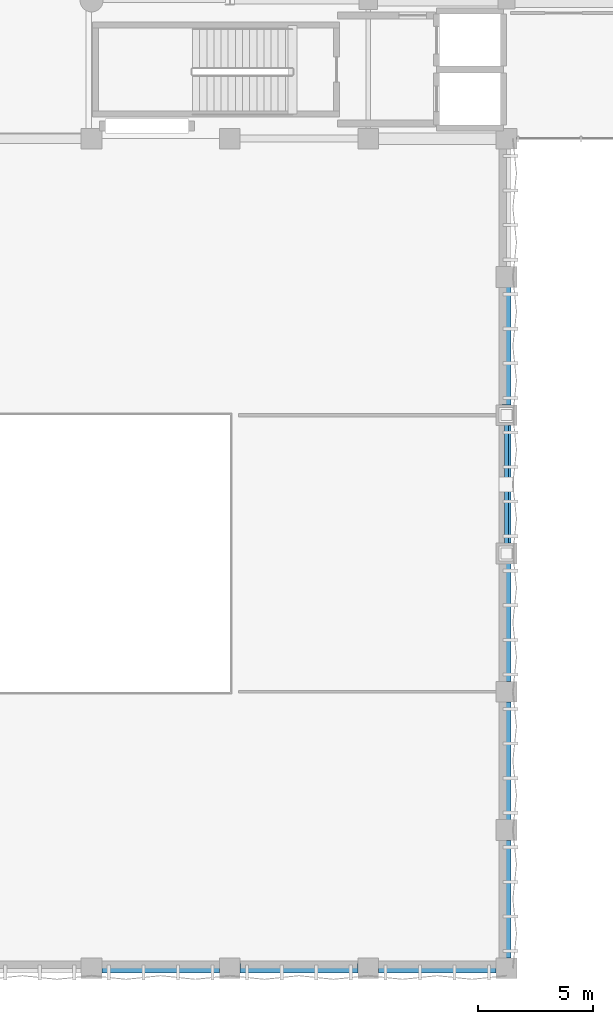
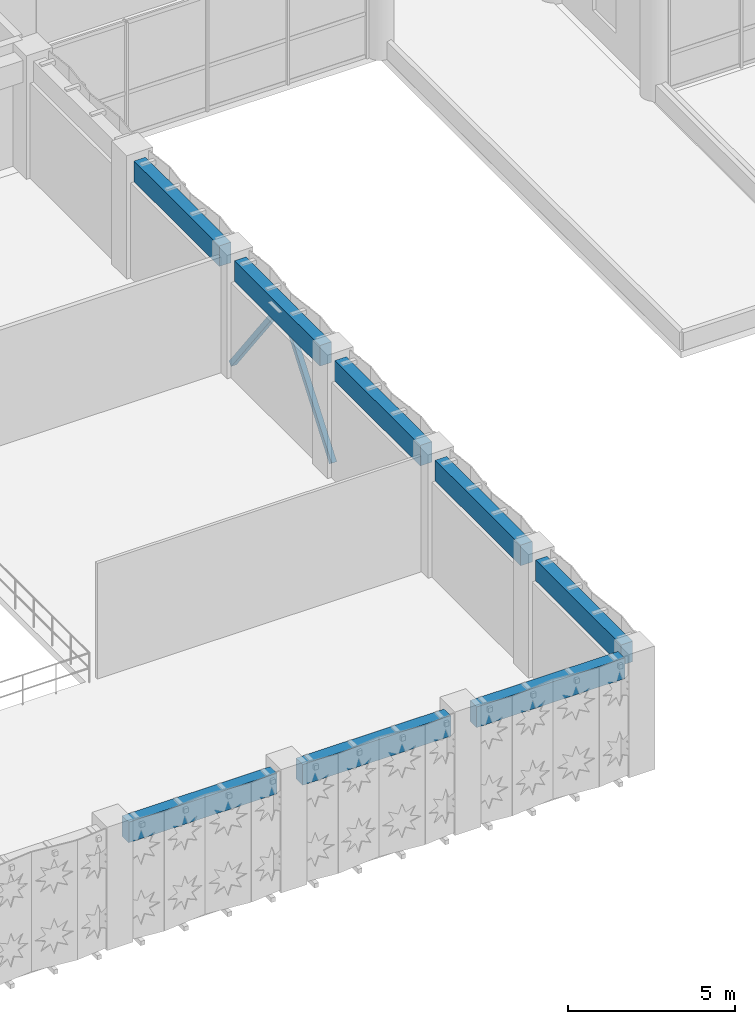
# One storey, part 56 of 133: 8 beams, 2 members.
"""IFC4 building model written with IfcOpenShell, lengths in metres."""

from ifc_helpers import new_model, si_unit, direction, frame, origin, origin_2d, place, context, subcontext, project, spatial, rectangle, hollow_rectangle, extrude, material, material_profile, profile_set, type_object, element, save


model = new_model("IFC4")

# Units and contexts
model_context = context("Model", 3, precision=1e-05, world=origin(), true_north=direction((0.0, 1.0)))
body_context = subcontext(model_context, "Body", "Model", "MODEL_VIEW")
ifc_project = project(units=[si_unit("LENGTHUNIT", "METRE"), si_unit("AREAUNIT", "SQUARE_METRE"), si_unit("VOLUMEUNIT", "CUBIC_METRE"), si_unit("PLANEANGLEUNIT", "RADIAN"), si_unit("MASSUNIT", "GRAM", prefix="KILO"), si_unit("THERMODYNAMICTEMPERATUREUNIT", "KELVIN"), si_unit("POWERUNIT", "WATT")], contexts=[model_context])

# Site, building, storey
site_placement = place(None, origin())
site = spatial("IfcSite", under=ifc_project, at=site_placement, CompositionType="ELEMENT")
building_placement = place(site_placement, origin())
building = spatial("IfcBuilding", under=site, at=building_placement, Name="Phaisarnlok Congress Hotel", CompositionType="ELEMENT")
storey_placement = place(building_placement, frame((0.0, 0.0, 6.0)))
storey = spatial("IfcBuildingStorey", under=building, at=storey_placement, Name="L01", CompositionType="ELEMENT", Elevation=6.0)

# Members
ifc_material_1 = material(Name="Steel S355", Category="steel")
ifc_material_profile_1 = material_profile(ifc_material_1, hollow_rectangle(XDim=0.179931640625, YDim=0.179931640625, WallThickness=0.010009765625, at=origin_2d()), Name="SHS 180x180x10")
ifc_profile_set_1 = profile_set([ifc_material_profile_1], Name="Steel S355")
member_type = type_object("IfcMemberType", Name="MEM-BRC-SHS180", PredefinedType="BRACE", material=ifc_profile_set_1)
for number, where, z_axis, x_axis, name in (
    (1, (144.0, 18.0, 0.14990234375), (0.0, 0.604808680836, 0.796370805332), (-1.0, 0.0, 0.0), "Lateral braced frame diagonal"),
    (2, (144.0, 24.0, 0.14990234375), (0.0, -0.604808680836, 0.796370805332), (1.0, 0.0, 0.0), "Lateral braced frame diagonal"),
):
    element("IfcMember", number, at=place(storey_placement, frame(where, z_axis=z_axis, x_axis=x_axis)), inside=storey, type_object=member_type, Name=name, PredefinedType="BRACE", context=body_context, shape_type="SweptSolid", body=[
        extrude(hollow_rectangle(XDim=0.179931640625, YDim=0.179931640625, WallThickness=0.010009765625, at=origin_2d()), origin(), (0.0, 0.0, 1.0), 4.960205078125),
    ])

# Beams
ifc_material_2 = material(Name="Concrete C40/50", Category="concrete")
ifc_material_profile_2 = material_profile(ifc_material_2, rectangle(XDim=0.39990234375, YDim=0.75, at=origin_2d()), Name="RC 400x750")
ifc_profile_set_2 = profile_set([ifc_material_profile_2], Name="Concrete C40/50")
beam_type = type_object("IfcBeamType", Name="SP-RC-400x750", PredefinedType="SPANDREL", material=ifc_profile_set_2)
for number, where, z_axis, x_axis, name in (
    (3, (126.445068359375, 0.0, 3.844970703125), (1.0, 0.0, 0.0), (0.0, 1.0, 0.0), "Beam SP-02"),
    (4, (132.445068359375, 0.0, 3.844970703125), (1.0, 0.0, 0.0), (0.0, 1.0, 0.0), "Beam SP-02"),
    (5, (138.445068359375, 0.0, 3.844970703125), (1.0, 0.0, 0.0), (0.0, 1.0, 0.0), "Beam SP-02"),
    (6, (144.0, 0.445068359375, 3.844970703125), (0.0, 1.0, 0.0), (-1.0, 0.0, 0.0), "Beam SP-02"),
    (7, (144.0, 6.445068359375, 3.844970703125), (0.0, 1.0, 0.0), (-1.0, 0.0, 0.0), "Beam SP-02"),
    (8, (144.0, 12.445068359375, 3.844970703125), (0.0, 1.0, 0.0), (-1.0, 0.0, 0.0), "Beam SP-02"),
    (9, (144.0, 18.445068359375, 3.844970703125), (0.0, 1.0, 0.0), (-1.0, 0.0, 0.0), "Beam SP-02"),
    (10, (144.0, 24.445068359375, 3.844970703125), (0.0, 1.0, 0.0), (-1.0, 0.0, 0.0), "Beam SP-02"),
):
    element("IfcBeam", number, at=place(storey_placement, frame(where, z_axis=z_axis, x_axis=x_axis)), inside=storey, type_object=beam_type, Name=name, PredefinedType="SPANDREL", context=body_context, shape_type="SweptSolid", body=[
        extrude(rectangle(XDim=0.39990234375, YDim=0.75, at=origin_2d()), origin(), (0.0, 0.0, 1.0), 5.10986328125),
    ])

save(model, "model.ifc")
